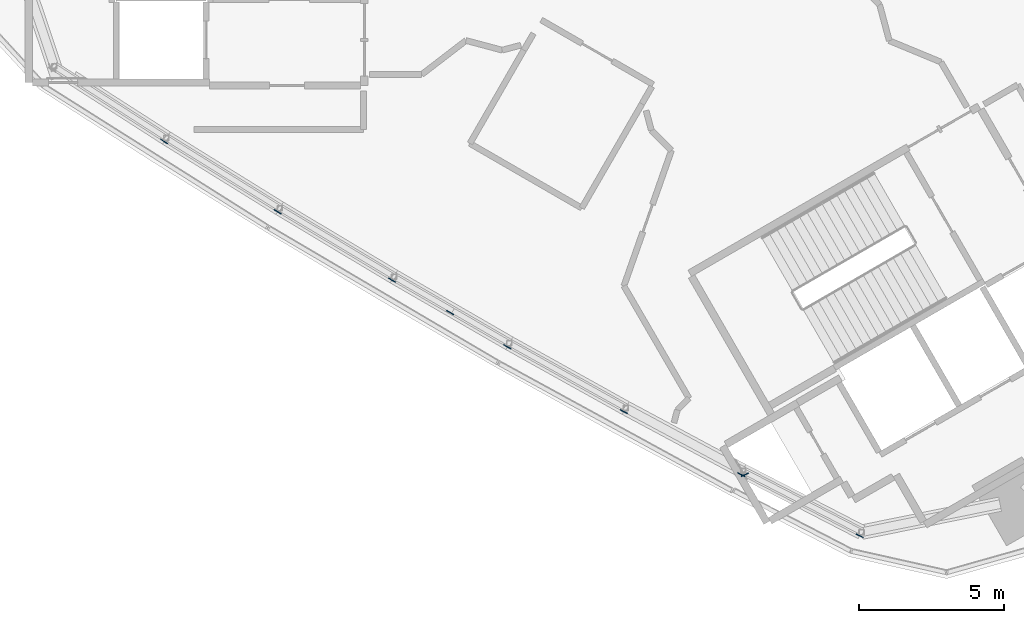
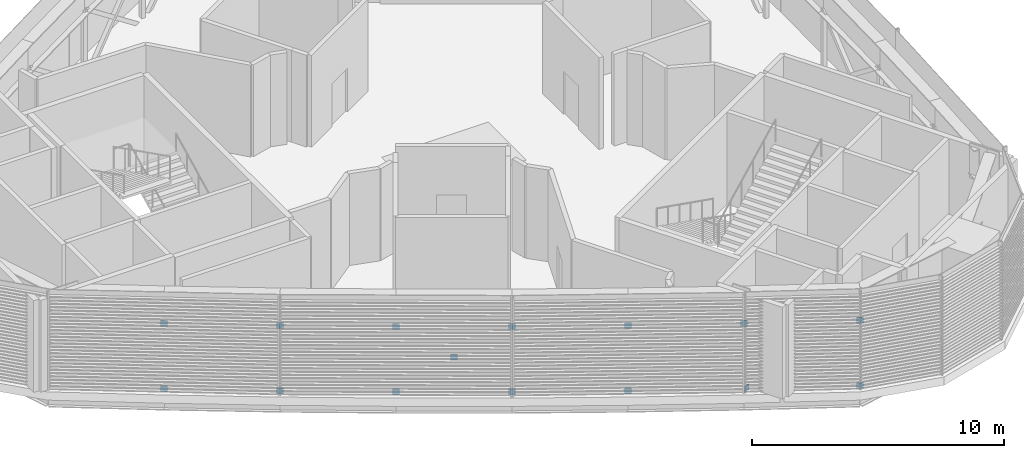
# One storey, part 10 of 21: 15 plates.
"""IFC4 building model written with IfcOpenShell, lengths in metres."""

import ifcopenshell
import ifcopenshell.guid

model = None  # the IFC model being written
_history = None  # IfcOwnerHistory: only IFC2X3 demands one
_inside = {}  # id of a spatial element -> (the spatial element, [elements in it])
_under = {}  # id of a project, library or spatial element -> (it, [spatial elements below it])
_declared = {}  # id of a project -> (the project, [libraries it declares])
_typed = {}  # id of a type object -> (the type object, [elements of that type])
_made_of = {}  # id of a material, layer set ... -> (it, [elements and type objects made of it])


def new_model(schema):
    """Start an empty IFC model of exactly this schema.

    Asked for "IFC4X3", IfcOpenShell would pick the latest addendum, in which some entities
    have other attributes; the version numbers below select the first issue.
    IFC2X3 requires an IfcOwnerHistory on every rooted entity: one is made here for all.
    """
    global model, _history
    if schema == "IFC4X3":
        model = ifcopenshell.file(schema_version=(4, 3, 0, 0))
    else:
        model = ifcopenshell.file(schema=schema)
    _inside.clear()
    _under.clear()
    _declared.clear()
    _typed.clear()
    _made_of.clear()
    _history = None
    if model.schema == "IFC2X3":
        org = make("IfcOrganization", Name="unknown")
        user = make(
            "IfcPersonAndOrganization",
            ThePerson=make("IfcPerson", FamilyName="unknown"),
            TheOrganization=org,
        )
        app = make(
            "IfcApplication",
            ApplicationDeveloper=org,
            Version="unknown",
            ApplicationFullName="unknown",
            ApplicationIdentifier="unknown",
        )
        _history = make(
            "IfcOwnerHistory",
            OwningUser=user,
            OwningApplication=app,
            ChangeAction="ADDED",
            CreationDate=0,
        )
    return model


def make(cls, **values):
    """One entity of the class cls with the attributes given. An attribute that is None is left unset."""
    return model.create_entity(
        cls, **{name: value for name, value in values.items() if value is not None}
    )


def rooted(cls, **values):
    """An entity with a GlobalId (a new one), such as an element, a storey or a relation."""
    return make(cls, GlobalId=ifcopenshell.guid.new(), OwnerHistory=_history, **values)


def si_unit(unit_type, name, prefix=None):
    """IfcSIUnit, for example si_unit("LENGTHUNIT", "METRE", prefix="MILLI")."""
    return make("IfcSIUnit", UnitType=unit_type, Prefix=prefix, Name=name)


def assignment(units):
    """IfcUnitAssignment: the units of a project."""
    return None if units is None else make("IfcUnitAssignment", Units=units)


def point(xyz):
    """IfcCartesianPoint."""
    return None if xyz is None else make("IfcCartesianPoint", Coordinates=xyz)


def direction(xyz):
    """IfcDirection."""
    return None if xyz is None else make("IfcDirection", DirectionRatios=xyz)


def frame(location, z_axis=None, x_axis=None):
    """IfcAxis2Placement3D, a coordinate frame: its origin and axes. An axis left out is left unset."""
    return make(
        "IfcAxis2Placement3D",
        Location=point(location),
        Axis=direction(z_axis),
        RefDirection=direction(x_axis),
    )


def frame_2d(location, x_axis=None):
    """IfcAxis2Placement2D, a coordinate frame in the plane: its origin and x axis."""
    return make(
        "IfcAxis2Placement2D", Location=point(location), RefDirection=direction(x_axis)
    )


def origin():
    """The frame at (0, 0, 0) with its axes left unset."""
    return frame((0.0, 0.0, 0.0))


def origin_2d():
    """The frame at (0, 0) in the plane with its x axis left unset."""
    return frame_2d((0.0, 0.0))


def place(relative_to, where):
    """IfcLocalPlacement: puts the frame where relative to a parent placement (None: the world)."""
    return make(
        "IfcLocalPlacement", PlacementRelTo=relative_to, RelativePlacement=where
    )


def context(
    kind, dimensions, precision=None, world=None, true_north=None, identifier=None
):
    """IfcGeometricRepresentationContext, for example the 3D "Model" context."""
    return make(
        "IfcGeometricRepresentationContext",
        ContextIdentifier=identifier,
        ContextType=kind,
        CoordinateSpaceDimension=dimensions,
        Precision=precision,
        WorldCoordinateSystem=world,
        TrueNorth=true_north,
    )


def subcontext(parent, identifier, kind, view, scale=None):
    """IfcGeometricRepresentationSubContext, for example "Body" below "Model"."""
    return make(
        "IfcGeometricRepresentationSubContext",
        ContextIdentifier=identifier,
        ContextType=kind,
        ParentContext=parent,
        TargetScale=scale,
        TargetView=view,
    )


def project(units=None, contexts=None):
    """IfcProject with its units and contexts."""
    return rooted(
        "IfcProject",
        Name="project",
        RepresentationContexts=contexts,
        UnitsInContext=assignment(units),
    )


def spatial(cls, under=None, at=None, **own):
    """A site, building, storey or space (cls), placed at a placement, below another one or the project."""
    s = rooted(cls, ObjectPlacement=at, **own)
    if under is not None:
        _under.setdefault(under.id(), (under, []))[1].append(s)
    return s


def profile(cls, at=None, kind="AREA", **sizes):
    """A parametric profile (cls). Its sizes go by their IFC names, for example OverallWidth=200.0."""
    return make(cls, ProfileType=kind, Position=at, **sizes)


def rectangle(**sizes):
    """IfcRectangleProfileDef."""
    return profile("IfcRectangleProfileDef", **sizes)


def extrude(swept, where, along, depth):
    """IfcExtrudedAreaSolid: the profile swept, set in the frame where, extruded along a direction by depth."""
    return make(
        "IfcExtrudedAreaSolid",
        SweptArea=swept,
        Position=where,
        ExtrudedDirection=direction(along),
        Depth=depth,
    )


def shape(context_of_items, identifier, shape_type, items):
    """IfcShapeRepresentation: the items that make up one representation, for example the "Body"."""
    return make(
        "IfcShapeRepresentation",
        ContextOfItems=context_of_items,
        RepresentationIdentifier=identifier,
        RepresentationType=shape_type,
        Items=items,
    )


def material(Name=None, Category=None):
    """IfcMaterial."""
    return make("IfcMaterial", Name=Name, Category=Category)


def layer(
    of_material, thickness, ventilated=None, Name=None, Category=None, Priority=None
):
    """IfcMaterialLayer: one layer of a wall or slab, of a material (None: an air gap)."""
    return make(
        "IfcMaterialLayer",
        Material=of_material,
        LayerThickness=thickness,
        IsVentilated=ventilated,
        Name=Name,
        Category=Category,
        Priority=Priority,
    )


def layer_set(layers, Name=None):
    """IfcMaterialLayerSet."""
    return make("IfcMaterialLayerSet", MaterialLayers=layers, LayerSetName=Name)


def made_of(thing, what):
    """Note that an element or type object is made of a material, layer set ...; save() writes the relation."""
    if what is not None:
        _made_of.setdefault(what.id(), (what, []))[1].append(thing)
    return thing


def type_object(cls, material=None, **own):
    """A type object (cls), such as IfcWallType, which elements share."""
    return made_of(rooted(cls, **own), material)


def element(
    cls,
    number,
    at=None,
    inside=None,
    cuts=None,
    type_object=None,
    material=None,
    context=None,
    identifier="Body",
    shape_type=None,
    held_by="IfcProductDefinitionShape",
    body=None,
    shapes=None,
    **own,
):
    """One element of the class cls, such as IfcWall. Its Tag is "e" and its number.

    at: its placement. inside: the storey or other place that contains it. cuts: it is an
    opening in that element (IfcRelVoidsElement). A single representation is given by context,
    identifier, shape_type and body (its items); several are given by shapes. held_by: the class
    of the entity that holds the representations. save() writes the other relations.
    """
    e = rooted(cls, Tag="e%d" % number, ObjectPlacement=at, **own)
    if body is not None:
        shapes = [shape(context, identifier, shape_type, body)]
    if shapes is not None:
        e.Representation = make(held_by, Representations=shapes)
    if inside is not None:
        _inside.setdefault(inside.id(), (inside, []))[1].append(e)
    if cuts is not None:
        rooted(
            "IfcRelVoidsElement", RelatingBuildingElement=cuts, RelatedOpeningElement=e
        )
    if type_object is not None:
        _typed.setdefault(type_object.id(), (type_object, []))[1].append(e)
    return made_of(e, material)


def aggregate(whole, parts):
    """IfcRelAggregates: a whole, such as a stair, and the parts it consists of."""
    return rooted("IfcRelAggregates", RelatingObject=whole, RelatedObjects=parts)


def save(model, path):
    """Write the relations noted so far, then the file.

    IfcRelAggregates (storeys below a building ...), IfcRelContainedInSpatialStructure (elements
    in a storey), IfcRelDefinesByType, IfcRelAssociatesMaterial and IfcRelDeclares: one each for
    every whole, place, type object, material and project.
    """
    for whole, parts in _under.values():
        aggregate(whole, parts)
    for where, things in _inside.values():
        rooted(
            "IfcRelContainedInSpatialStructure",
            RelatedElements=things,
            RelatingStructure=where,
        )
    for kind, things in _typed.values():
        rooted("IfcRelDefinesByType", RelatedObjects=things, RelatingType=kind)
    for what, things in _made_of.values():
        rooted("IfcRelAssociatesMaterial", RelatedObjects=things, RelatingMaterial=what)
    for by, libraries in _declared.values():
        rooted("IfcRelDeclares", RelatingContext=by, RelatedDefinitions=libraries)
    model.write(path)


model = new_model("IFC4")

# Units and contexts
model_context = context("Model", 3, precision=1e-05, world=origin(), true_north=direction((0.0, 1.0)))
body_context = subcontext(model_context, "Body", "Model", "MODEL_VIEW")
ifc_project = project(units=[si_unit("LENGTHUNIT", "METRE"), si_unit("AREAUNIT", "SQUARE_METRE"), si_unit("VOLUMEUNIT", "CUBIC_METRE"), si_unit("PLANEANGLEUNIT", "RADIAN"), si_unit("MASSUNIT", "GRAM", prefix="KILO")], contexts=[model_context])

# Site, building, storey
site_placement = place(None, origin())
site = spatial("IfcSite", under=ifc_project, at=site_placement, CompositionType="ELEMENT")
building_placement = place(site_placement, origin())
building = spatial("IfcBuilding", under=site, at=building_placement, Name="Tamra Quay Hotel Tower", CompositionType="ELEMENT")
storey_placement = place(building_placement, frame((0.0, 0.0, 301.800048828125)))
storey = spatial("IfcBuildingStorey", under=building, at=storey_placement, Name="L76", CompositionType="ELEMENT", Elevation=301.800048828125)

# Plates
ifc_material = material(Name="Structural steel IS 2062 E350", Category="steel")
ifc_layer = layer(ifc_material, 0.02490234375)
ifc_layer_set = layer_set([ifc_layer], Name="BRACE END PLATE 25")
plate_type = type_object("IfcPlateType", Name="BRACE END PLATE 25", PredefinedType="SHEET", material=ifc_layer_set)
for number, where, z_axis, x_axis, name in (
    (1, (-17.757080078125, -7.712646484375, -0.39990234375), (0.0, 0.0, 1.0), (0.540002367318, 0.841663497658, 0.0), "BEP-L76-018"),
    (2, (-13.8388671875, -10.14111328125, -0.39990234375), (0.0, 0.0, 1.0), (0.526807453214, 0.849984651178, 0.0), "BEP-L76-019"),
    (3, (-9.8828125, -12.50830078125, -0.39990234375), (0.0, 0.0, 1.0), (0.506753154959, 0.862091201637, 0.0), "BEP-L76-020"),
    (4, (-5.89111328125, -14.81298828125, -0.39990234375), (0.0, 0.0, 1.0), (0.493219340061, 0.869904984805, 0.0), "BEP-L76-021"),
    (5, (-1.862060546875, -17.055908203125, -0.39990234375), (0.0, 0.0, 1.0), (0.465813761253, 0.8848827831, 0.0), "BEP-L76-022"),
    (6, (2.32177734375, -19.237060546875, -0.39990234375), (0.0, 0.0, 1.0), (-0.418727891739, 0.908111751207, 0.0), "BEP-L76-023"),
    (7, (6.292236328125, -21.348388671875, -0.39990234375), (0.0, 0.0, 1.0), (0.458905438855, 0.888485114219, 0.0), "BEP-L76-024"),
    (8, (-17.755126953125, -7.7138671875, 2.77001953125), (0.0, 0.0, 1.0), (0.526807453214, 0.849984651178, 0.0), "BEP-L76-042"),
    (9, (-13.837158203125, -10.14208984375, 2.77001953125), (0.0, 0.0, 1.0), (0.513476853563, 0.858103444146, 0.0), "BEP-L76-043"),
    (10, (-9.8818359375, -12.5087890625, 2.77001953125), (0.0, 0.0, 1.0), (0.4999984885, 0.866026276448, 0.0), "BEP-L76-044"),
    (11, (-5.89208984375, -14.8125, 2.77001953125), (0.0, 0.0, 1.0), (0.4999984885, 0.866026276448, 0.0), "BEP-L76-045"),
    (12, (-1.864990234375, -17.05419921875, 2.77001953125), (0.0, 0.0, 1.0), (0.486410104636, 0.873730627887, 0.0), "BEP-L76-046"),
    (13, (2.19921875, -19.234375, 2.77001953125), (0.0, 0.0, 1.0), (0.458905438855, 0.888485114219, 0.0), "BEP-L76-047"),
    (14, (6.291259765625, -21.347900390625, 2.77001953125), (0.0, 0.0, 1.0), (0.465813761253, 0.8848827831, 0.0), "BEP-L76-048"),
    (15, (-7.868408203125, -13.62841796875, 1.259765625), (0.0, 0.0, 1.0), (0.4999984885, 0.866026276448, 0.0), "BEP-L76-052"),
):
    element("IfcPlate", number, at=place(storey_placement, frame(where, z_axis=z_axis, x_axis=x_axis)), inside=storey, type_object=plate_type, Name=name, PredefinedType="SHEET", context=body_context, shape_type="SweptSolid", body=[
        extrude(rectangle(XDim=0.02490234375, YDim=0.280029296875, at=origin_2d()), origin(), (0.0, 0.0, 1.0), 0.280029296875),
    ])

save(model, "model.ifc")
